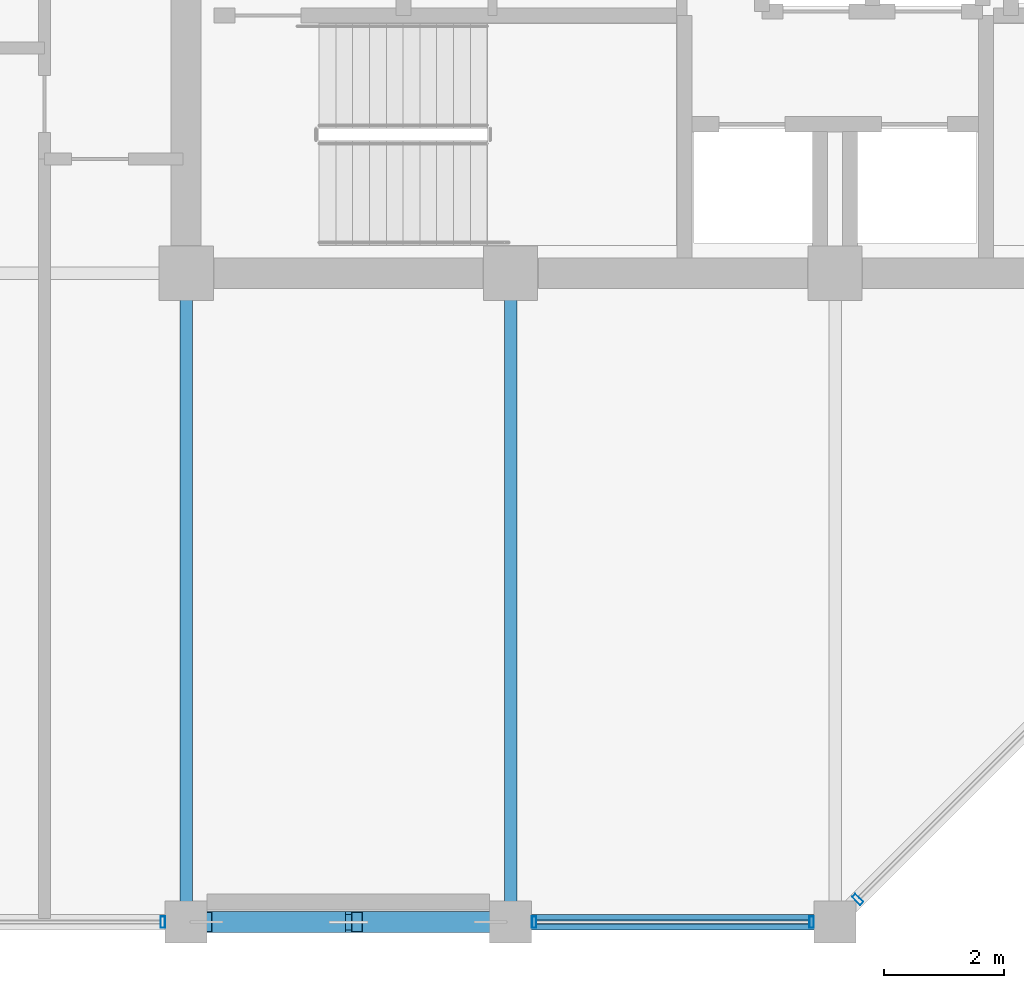
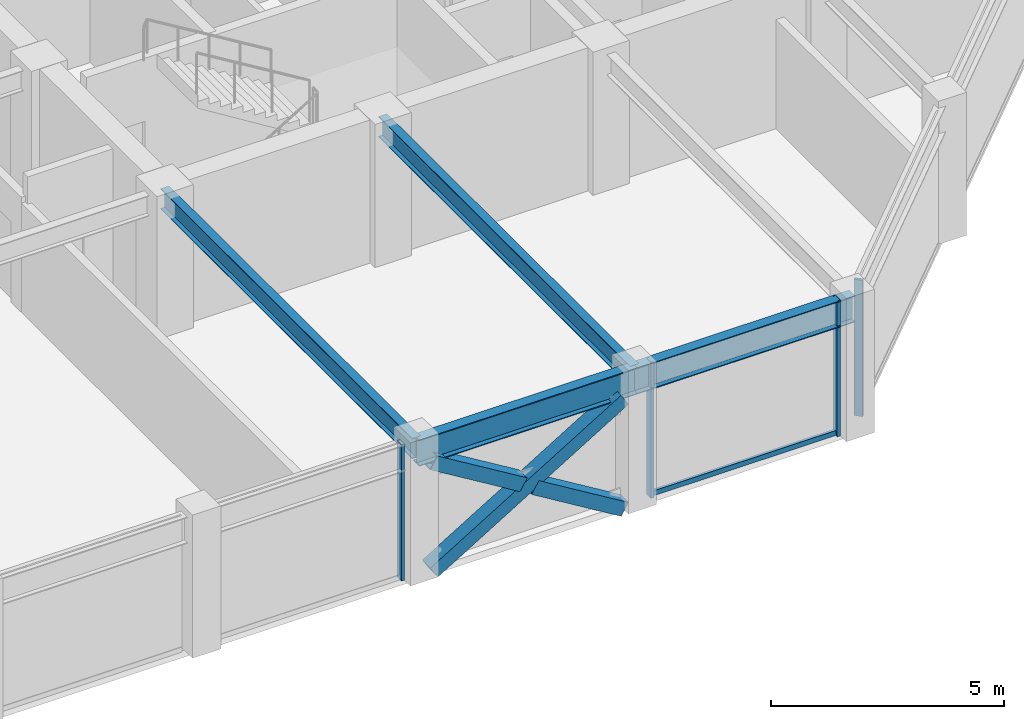
# One storey, part 6 of 30: 8 members, 4 beams, 3 elements without a shape of their own.
"""IFC4 building model written with IfcOpenShell, lengths in metres."""

from ifc_helpers import new_model, si_unit, direction, frame, origin, origin_2d, place, context, subcontext, project, spatial, hollow_rectangle, i_section, extrude, material, layer, layer_set, material_profile, profile_set, type_object, element, aggregate, save


model = new_model("IFC4")

# Units and contexts
model_context = context("Model", 3, precision=1e-05, world=origin(), true_north=direction((0.0, 1.0)))
body_context = subcontext(model_context, "Body", "Model", "MODEL_VIEW")
ifc_project = project(units=[si_unit("LENGTHUNIT", "METRE"), si_unit("AREAUNIT", "SQUARE_METRE"), si_unit("VOLUMEUNIT", "CUBIC_METRE"), si_unit("PLANEANGLEUNIT", "RADIAN"), si_unit("MASSUNIT", "GRAM", prefix="KILO")], contexts=[model_context])

# Site, building, storey
site_placement = place(None, origin())
site = spatial("IfcSite", under=ifc_project, at=site_placement, CompositionType="ELEMENT")
building_placement = place(site_placement, origin())
building = spatial("IfcBuilding", under=site, at=building_placement, Name="Surkhivell Harbour Commons", CompositionType="ELEMENT")
storey_placement = place(building_placement, frame((0.0, 0.0, 307.5)))
storey = spatial("IfcBuildingStorey", under=building, at=storey_placement, Name="L80", CompositionType="ELEMENT", Elevation=307.5)

# Beams
ifc_material_1 = material(Name="Steel S355", Category="steel")
ifc_material_profile_1 = material_profile(ifc_material_1, i_section(OverallWidth=0.2099609375, OverallDepth=0.537109375, WebThickness=0.0107421875, FlangeThickness=0.017333984375, at=origin_2d()), Name="UB533x210x101")
ifc_profile_set_1 = profile_set([ifc_material_profile_1], Name="Steel S355")
beam_type_1 = type_object("IfcBeamType", Name="BM-GRD-533B", PredefinedType="BEAM", material=ifc_profile_set_1)
for number, where, z_axis, x_axis, name in (
    (1, (-10.800048828125, -21.60009765625, 3.301513671875), (0.0, 1.0, 0.0), (-1.0, 0.0, 0.0), "L80 Floor Girder (-10.8,-21.6)"),
    (2, (-5.39990234375, -21.60009765625, 3.301513671875), (0.0, 1.0, 0.0), (-1.0, 0.0, 0.0), "L80 Floor Girder (-5.4,-21.6)"),
):
    element("IfcBeam", number, at=place(storey_placement, frame(where, z_axis=z_axis, x_axis=x_axis)), inside=storey, type_object=beam_type_1, Name=name, PredefinedType="BEAM", context=body_context, shape_type="SweptSolid", body=[
        extrude(i_section(OverallWidth=0.2099609375, OverallDepth=0.537109375, WebThickness=0.0107421875, FlangeThickness=0.017333984375, at=origin_2d()), origin(), (0.0, 0.0, 1.0), 10.800048828125),
    ])
ifc_material_profile_2 = material_profile(ifc_material_1, i_section(OverallWidth=0.256103515625, OverallDepth=0.693115234375, WebThickness=0.014404296875, FlangeThickness=0.023681640625, at=origin_2d()), Name="UB686x254x170")
ifc_profile_set_2 = profile_set([ifc_material_profile_2], Name="Steel S355")
beam_type_2 = type_object("IfcBeamType", Name="BM-SPN-686", PredefinedType="SPANDREL", material=ifc_profile_set_2)
beam_1_placement = place(storey_placement, frame((-10.800048828125, -21.60009765625, 3.223388671875), z_axis=(1.0, 0.0, 0.0), x_axis=(0.0, 1.0, 0.0)))
element("IfcBeam", 3, at=beam_1_placement, inside=storey, type_object=beam_type_2, Name="L80 Tube Spandrel (-10.8,-21.6)", PredefinedType="SPANDREL", context=body_context, shape_type="SweptSolid", body=[
    extrude(i_section(OverallWidth=0.256103515625, OverallDepth=0.693115234375, WebThickness=0.014404296875, FlangeThickness=0.023681640625, at=origin_2d()), origin(), (0.0, 0.0, 1.0), 5.400146484375),
])
beam_2_placement = place(storey_placement, frame((-5.39990234375, -21.60009765625, 3.223388671875), z_axis=(1.0, 0.0, 0.0), x_axis=(0.0, 1.0, 0.0)))
element("IfcBeam", 4, at=beam_2_placement, inside=storey, type_object=beam_type_2, Name="L80 Tube Spandrel (-5.4,-21.6)", PredefinedType="SPANDREL", context=body_context, shape_type="SweptSolid", body=[
    extrude(i_section(OverallWidth=0.256103515625, OverallDepth=0.693115234375, WebThickness=0.014404296875, FlangeThickness=0.023681640625, at=origin_2d()), origin(), (0.0, 0.0, 1.0), 5.39990234375),
])

# Curtain wall, member
ifc_material_2 = material(Name="Anodised pale-metal aluminium and insulated glazing", Category="aluminium")
ifc_layer = layer(ifc_material_2, 0.175048828125)
ifc_layer_set = layer_set([ifc_layer], Name="Anodised pale-metal aluminium and insulated glazing")
curtain_wall_type = type_object("IfcCurtainWallType", Name="CW-SYS-Z4", PredefinedType="NOTDEFINED", material=ifc_layer_set)
curtain_wall_1_placement = place(storey_placement, origin())
curtain_wall_1 = element("IfcCurtainWall", 5, at=curtain_wall_1_placement, inside=storey, type_object=curtain_wall_type, Name="L80 Curtain Wall CW-L80-E00S1", PredefinedType="NOTDEFINED")
ifc_material_3 = material(Name="Anodised pale-metal aluminium alloy 6063-T6", Category="aluminium")
ifc_material_profile_3 = material_profile(ifc_material_3, hollow_rectangle(XDim=0.074951171875, YDim=0.18994140625, WallThickness=0.00390625, at=origin_2d()), Name="ALU-MULL-75x190")
ifc_profile_set_3 = profile_set([ifc_material_profile_3], Name="Anodised pale-metal aluminium alloy 6063-T6")
member_type_1 = type_object("IfcMemberType", Name="CWM-190", PredefinedType="MULLION", material=ifc_profile_set_3)
member_1_placement = place(storey_placement, frame((-11.189453125, -21.60009765625, 0.0), z_axis=(0.0, 0.0, 1.0), x_axis=(1.0, 0.0, 0.0)))
member_1 = element("IfcMember", 6, at=member_1_placement, type_object=member_type_1, Name="CW-Z4 mullion 3", PredefinedType="MULLION", context=body_context, shape_type="SweptSolid", body=[
    extrude(hollow_rectangle(XDim=0.074951171875, YDim=0.18994140625, WallThickness=0.00390625, at=origin_2d()), origin(), (0.0, 0.0, 1.0), 3.570068359375),
])
aggregate(curtain_wall_1, [member_1])

# Curtain wall, members
curtain_wall_2_placement = place(storey_placement, origin())
curtain_wall_2 = element("IfcCurtainWall", 7, at=curtain_wall_2_placement, inside=storey, type_object=curtain_wall_type, Name="L80 Curtain Wall CW-L80-E00S2", PredefinedType="NOTDEFINED")
member_2_placement = place(storey_placement, frame((-5.010498046875, -21.60009765625, 0.0), z_axis=(0.0, 0.0, 1.0), x_axis=(1.0, 0.0, 0.0)))
member_2 = element("IfcMember", 8, at=member_2_placement, type_object=member_type_1, Name="CW-Z4 mullion 1", PredefinedType="MULLION", context=body_context, shape_type="SweptSolid", body=[
    extrude(hollow_rectangle(XDim=0.074951171875, YDim=0.18994140625, WallThickness=0.00390625, at=origin_2d()), origin(), (0.0, 0.0, 1.0), 3.570068359375),
])
member_3_placement = place(storey_placement, frame((-0.389404296875, -21.60009765625, 0.0), z_axis=(0.0, 0.0, 1.0), x_axis=(1.0, 0.0, 0.0)))
member_3 = element("IfcMember", 9, at=member_3_placement, type_object=member_type_1, Name="CW-Z4 mullion 2", PredefinedType="MULLION", context=body_context, shape_type="SweptSolid", body=[
    extrude(hollow_rectangle(XDim=0.074951171875, YDim=0.18994140625, WallThickness=0.00390625, at=origin_2d()), origin(), (0.0, 0.0, 1.0), 3.570068359375),
])

# Curtain wall, member
curtain_wall_3_placement = place(storey_placement, origin())
curtain_wall_3 = element("IfcCurtainWall", 10, at=curtain_wall_3_placement, inside=storey, type_object=curtain_wall_type, Name="L80 Curtain Wall CW-L80-E01", PredefinedType="NOTDEFINED")
member_4_placement = place(storey_placement, frame((0.378173828125, -21.221923828125, 0.0), z_axis=(0.0, 0.0, 1.0), x_axis=(0.707106781187, 0.707106781187, 0.0)))
member_4 = element("IfcMember", 11, at=member_4_placement, type_object=member_type_1, Name="CW-Z4 mullion 1", PredefinedType="MULLION", context=body_context, shape_type="SweptSolid", body=[
    extrude(hollow_rectangle(XDim=0.074951171875, YDim=0.18994140625, WallThickness=0.00390625, at=origin_2d()), origin(), (0.0, 0.0, 1.0), 3.570068359375),
])
aggregate(curtain_wall_3, [member_4])

# Member
ifc_material_4 = material(Name="Champagne anodised aluminium alloy 6063-T6", Category="aluminium")
ifc_material_profile_4 = material_profile(ifc_material_4, hollow_rectangle(XDim=0.070068359375, YDim=0.1298828125, WallThickness=0.00341796875, at=origin_2d()), Name="ALU-TRAN-70x130")
ifc_profile_set_4 = profile_set([ifc_material_profile_4], Name="Champagne anodised aluminium alloy 6063-T6")
member_type_2 = type_object("IfcMemberType", Name="CWT-130", PredefinedType="USERDEFINED", material=ifc_profile_set_4)
member_5_placement = place(storey_placement, frame((-4.972900390625, -21.60009765625, 0.06494140625), z_axis=(1.0, 0.0, 0.0), x_axis=(0.0, 1.0, 0.0)))
member_5 = element("IfcMember", 12, at=member_5_placement, type_object=member_type_2, Name="CW-Z4 transom 1.1", ObjectType="TRANSOM", PredefinedType="USERDEFINED", context=body_context, shape_type="SweptSolid", body=[
    extrude(hollow_rectangle(XDim=0.070068359375, YDim=0.1298828125, WallThickness=0.00341796875, at=origin_2d()), origin(), (0.0, 0.0, 1.0), 4.5458984375),
])

aggregate(curtain_wall_2, [member_2, member_3, member_5])

# Members
ifc_material_profile_5 = material_profile(ifc_material_1, hollow_rectangle(XDim=0.35009765625, YDim=0.35009765625, WallThickness=0.01611328125, at=origin_2d()), Name="SHS350x350x16")
ifc_profile_set_5 = profile_set([ifc_material_profile_5], Name="Steel S355")
member_type_3 = type_object("IfcMemberType", Name="MEM-BRC-SHS350", PredefinedType="BRACE", material=ifc_profile_set_5)
member_6_placement = place(storey_placement, frame((-10.465087890625, -21.60009765625, 0.008056640625), z_axis=(0.854685454322, 0.0, 0.519146197299), x_axis=(0.0, 1.0, 0.0)))
element("IfcMember", 13, at=member_6_placement, inside=storey, type_object=member_type_3, Name="L80 Perimeter Mega-Brace MB- 07", PredefinedType="BRACE", context=body_context, shape_type="SweptSolid", body=[
    extrude(hollow_rectangle(XDim=0.35009765625, YDim=0.35009765625, WallThickness=0.01611328125, at=origin_2d()), origin(), (0.0, 0.0, 1.0), 5.5341796875),
])
member_7_placement = place(storey_placement, frame((-5.735107421875, -21.60009765625, 0.008056640625), z_axis=(-0.854653538862, 0.0, 0.519198737007), x_axis=(0.0, -1.0, 0.0)))
element("IfcMember", 14, at=member_7_placement, inside=storey, type_object=member_type_3, Name="L80 Perimeter Mega-Brace MB- 08", PredefinedType="BRACE", context=body_context, shape_type="SweptSolid", body=[
    extrude(hollow_rectangle(XDim=0.35009765625, YDim=0.35009765625, WallThickness=0.01611328125, at=origin_2d()), origin(), (0.0, 0.0, 1.0), 2.598876953125),
])
member_8_placement = place(storey_placement, frame((-8.24365234375, -21.60009765625, 1.53173828125), z_axis=(-0.854678858595, 0.0, 0.51915705588), x_axis=(0.0, -1.0, 0.0)))
element("IfcMember", 15, at=member_8_placement, inside=storey, type_object=member_type_3, Name="L80 Perimeter Mega-Brace MB- 09", PredefinedType="BRACE", context=body_context, shape_type="SweptSolid", body=[
    extrude(hollow_rectangle(XDim=0.35009765625, YDim=0.35009765625, WallThickness=0.01611328125, at=origin_2d()), origin(), (0.0, 0.0, 1.0), 2.59912109375),
])

save(model, "model.ifc")
